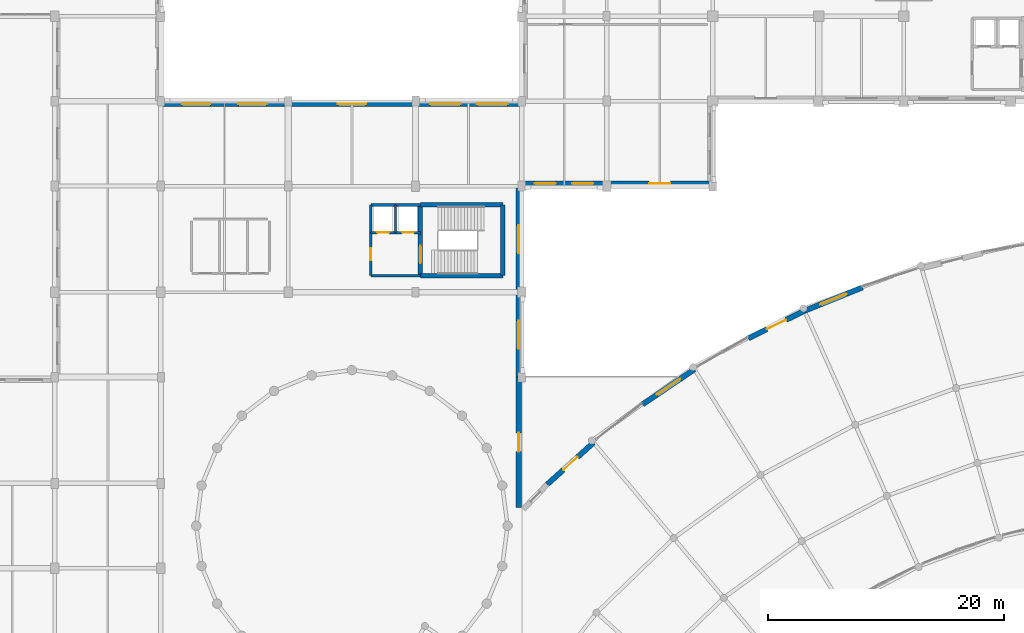
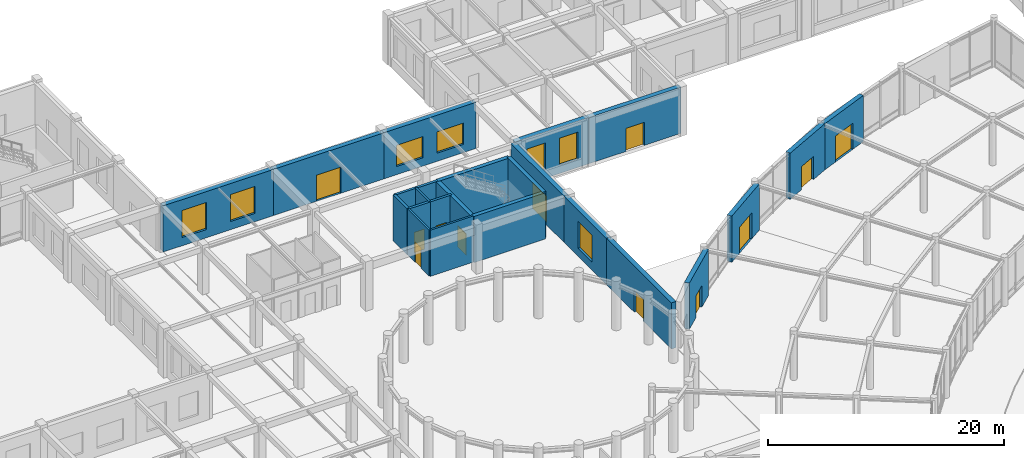
# One storey, part 51 of 64: 23 walls, 12 doors, 7 windows, 19 openings.
"""IFC4 building model written with IfcOpenShell, lengths in metres."""

from ifc_helpers import new_model, si_unit, direction, frame, frame_2d, origin, place, context, subcontext, project, spatial, rectangle, extrude, material, layer, layer_set, type_object, element, fill, save


model = new_model("IFC4")

# Units and contexts
model_context = context("Model", 3, precision=1e-05, world=origin(), true_north=direction((0.0, 1.0)))
body_context = subcontext(model_context, "Body", "Model", "MODEL_VIEW")
ifc_project = project(units=[si_unit("LENGTHUNIT", "METRE"), si_unit("AREAUNIT", "SQUARE_METRE"), si_unit("VOLUMEUNIT", "CUBIC_METRE"), si_unit("PLANEANGLEUNIT", "RADIAN"), si_unit("MASSUNIT", "GRAM", prefix="KILO")], contexts=[model_context])

# Site, building, storey
site_placement = place(None, origin())
site = spatial("IfcSite", under=ifc_project, at=site_placement, CompositionType="ELEMENT")
building_placement = place(site_placement, origin())
building = spatial("IfcBuilding", under=site, at=building_placement, Name="Clarverna Civic Hall", CompositionType="ELEMENT")
storey_placement = place(building_placement, origin())
storey = spatial("IfcBuildingStorey", under=building, at=storey_placement, Name="L00", CompositionType="ELEMENT", Elevation=0.0)

# Wall, openings, windows
ifc_material_1 = material(Name="Precast concrete C40/50", Category="concrete")
ifc_layer_1 = layer(ifc_material_1, 0.449951171875)
ifc_layer_set_1 = layer_set([ifc_layer_1], Name="Precast concrete C40/50")
wall_type_1 = type_object("IfcWallType", Name="EW-01", PredefinedType="SOLIDWALL", material=ifc_layer_set_1)
wall_1_placement = place(storey_placement, frame((66.574951171875, 94.77490234375, 0.0), z_axis=(0.0, 0.0, 1.0), x_axis=(1.0, 0.0, 0.0)))
wall_1 = element("IfcWall", 1, at=wall_1_placement, inside=storey, type_object=wall_type_1, Name="EW-01-027", PredefinedType="SOLIDWALL", context=body_context, shape_type="SweptSolid", body=[
    extrude(rectangle(XDim=10.824951171875, YDim=0.449951171875, at=frame_2d((5.41259765625, 0.0))), origin(), (0.0, 0.0, 1.0), 4.780029296875),
])
opening_1_placement = place(wall_1_placement, frame((1.8310546875, 0.0, 0.85009765625)))
opening_1 = element("IfcOpeningElement", 2, at=opening_1_placement, cuts=wall_1, Name="Opening WN-02", PredefinedType="OPENING", context=body_context, shape_type="SweptSolid", body=[
    extrude(rectangle(XDim=2.39990234375, YDim=2.800048828125, at=frame_2d((1.199951171875, 1.39990234375))), frame((0.0, 0.23486328125, 0.0), z_axis=(0.0, -1.0, 0.0), x_axis=(1.0, 0.0, 0.0)), (0.0, 0.0, 1.0), 0.469970703125),
])
opening_2_placement = place(wall_1_placement, frame((6.593994140625, 0.0, 0.85009765625)))
opening_2 = element("IfcOpeningElement", 3, at=opening_2_placement, cuts=wall_1, Name="Opening WN-02", PredefinedType="OPENING", context=body_context, shape_type="SweptSolid", body=[
    extrude(rectangle(XDim=2.39990234375, YDim=2.800048828125, at=frame_2d((1.199951171875, 1.39990234375))), frame((0.0, 0.23486328125, 0.0), z_axis=(0.0, -1.0, 0.0), x_axis=(1.0, 0.0, 0.0)), (0.0, 0.0, 1.0), 0.469970703125),
])
ifc_material_2 = material(Name="Solar-Control Argon Low-E Double Glazing", Category="glass")
window_type_1 = type_object("IfcWindowType", Name="WN-02", PartitioningType="TRIPLE_PANEL_VERTICAL", PredefinedType="WINDOW", material=ifc_material_2)
window_1_placement = place(opening_1_placement, origin())
window_1 = element("IfcWindow", 4, at=window_1_placement, inside=storey, type_object=window_type_1, Name="WN-02-005", OverallHeight=2.800048828125, OverallWidth=2.39990234375, PartitioningType="TRIPLE_PANEL_VERTICAL", PredefinedType="WINDOW", context=body_context, shape_type="SweptSolid", body=[
    extrude(rectangle(XDim=2.39990234375, YDim=2.800048828125, at=frame_2d((1.199951171875, 1.39990234375))), frame((0.0, 0.030029296875, 0.0), z_axis=(0.0, -1.0, 0.0), x_axis=(1.0, 0.0, 0.0)), (0.0, 0.0, 1.0), 0.06005859375),
])
fill(opening_1, window_1)
window_2_placement = place(opening_2_placement, origin())
window_2 = element("IfcWindow", 5, at=window_2_placement, inside=storey, type_object=window_type_1, Name="WN-02-006", OverallHeight=2.800048828125, OverallWidth=2.39990234375, PartitioningType="TRIPLE_PANEL_VERTICAL", PredefinedType="WINDOW", context=body_context, shape_type="SweptSolid", body=[
    extrude(rectangle(XDim=2.39990234375, YDim=2.800048828125, at=frame_2d((1.199951171875, 1.39990234375))), frame((0.0, 0.030029296875, 0.0), z_axis=(0.0, -1.0, 0.0), x_axis=(1.0, 0.0, 0.0)), (0.0, 0.0, 1.0), 0.06005859375),
])
fill(opening_2, window_2)

# Wall, opening, door
wall_2_placement = place(storey_placement, frame((77.39990234375, 94.77490234375, 0.0), z_axis=(0.0, 0.0, 1.0), x_axis=(1.0, 0.0, 0.0)))
wall_2 = element("IfcWall", 6, at=wall_2_placement, inside=storey, type_object=wall_type_1, Name="EW-01-028", PredefinedType="SOLIDWALL", context=body_context, shape_type="SweptSolid", body=[
    extrude(rectangle(XDim=10.800048828125, YDim=0.449951171875, at=frame_2d((5.39990234375, 0.0))), origin(), (0.0, 0.0, 1.0), 4.780029296875),
])
opening_3_placement = place(wall_2_placement, frame((4.199951171875, 0.0, 0.0)))
opening_3 = element("IfcOpeningElement", 7, at=opening_3_placement, cuts=wall_2, Name="Opening ED-01", PredefinedType="OPENING", context=body_context, shape_type="SweptSolid", body=[
    extrude(rectangle(XDim=2.39990234375, YDim=2.699951171875, at=frame_2d((1.199951171875, 1.35009765625))), frame((0.0, 0.23486328125, 0.0), z_axis=(0.0, -1.0, 0.0), x_axis=(1.0, 0.0, 0.0)), (0.0, 0.0, 1.0), 0.469970703125),
])
ifc_material_3 = material(Name="Anodised Bronze Glazed Door")
door_type_1 = type_object("IfcDoorType", Name="ED-01", OperationType="DOUBLE_DOOR_SINGLE_SWING", PredefinedType="DOOR", material=ifc_material_3)
door_1_placement = place(opening_3_placement, origin())
door_1 = element("IfcDoor", 8, at=door_1_placement, inside=storey, type_object=door_type_1, Name="ED-01-006", OperationType="DOUBLE_DOOR_SINGLE_SWING", OverallHeight=2.699951171875, OverallWidth=2.39990234375, PredefinedType="DOOR", context=body_context, shape_type="SweptSolid", body=[
    extrude(rectangle(XDim=2.39990234375, YDim=2.699951171875, at=frame_2d((1.199951171875, 1.35009765625))), frame((0.0, 0.02490234375, 0.0), z_axis=(0.0, -1.0, 0.0), x_axis=(1.0, 0.0, 0.0)), (0.0, 0.0, 1.0), 0.050048828125),
])
fill(opening_3, door_1)

# Wall, openings, windows
wall_3_placement = place(storey_placement, frame((88.199951171875, 94.77490234375, 0.0), z_axis=(0.0, 0.0, 1.0), x_axis=(1.0, 0.0, 0.0)))
wall_3 = element("IfcWall", 9, at=wall_3_placement, inside=storey, type_object=wall_type_1, Name="EW-01-029", PredefinedType="SOLIDWALL", context=body_context, shape_type="SweptSolid", body=[
    extrude(rectangle(XDim=9.025146484375, YDim=0.449951171875, at=frame_2d((4.5126953125, 0.0))), origin(), (0.0, 0.0, 1.0), 4.780029296875),
])
opening_4_placement = place(wall_3_placement, frame((1.22705078125, 0.0, 0.85009765625)))
opening_4 = element("IfcOpeningElement", 10, at=opening_4_placement, cuts=wall_3, Name="Opening WN-18", PredefinedType="OPENING", context=body_context, shape_type="SweptSolid", body=[
    extrude(rectangle(XDim=2.60009765625, YDim=2.199951171875, at=frame_2d((1.300048828125, 1.10009765625))), frame((0.0, 0.23486328125, 0.0), z_axis=(0.0, -1.0, 0.0), x_axis=(1.0, 0.0, 0.0)), (0.0, 0.0, 1.0), 0.469970703125),
])
opening_5_placement = place(wall_3_placement, frame((5.197998046875, 0.0, 0.85009765625)))
opening_5 = element("IfcOpeningElement", 11, at=opening_5_placement, cuts=wall_3, Name="Opening WN-18", PredefinedType="OPENING", context=body_context, shape_type="SweptSolid", body=[
    extrude(rectangle(XDim=2.60009765625, YDim=2.199951171875, at=frame_2d((1.300048828125, 1.10009765625))), frame((0.0, 0.23486328125, 0.0), z_axis=(0.0, -1.0, 0.0), x_axis=(1.0, 0.0, 0.0)), (0.0, 0.0, 1.0), 0.469970703125),
])
window_type_2 = type_object("IfcWindowType", Name="WN-18", PartitioningType="TRIPLE_PANEL_VERTICAL", PredefinedType="WINDOW", material=ifc_material_2)
window_3_placement = place(opening_4_placement, origin())
window_3 = element("IfcWindow", 12, at=window_3_placement, inside=storey, type_object=window_type_2, Name="WN-18-003", OverallHeight=2.199951171875, OverallWidth=2.60009765625, PartitioningType="TRIPLE_PANEL_VERTICAL", PredefinedType="WINDOW", context=body_context, shape_type="SweptSolid", body=[
    extrude(rectangle(XDim=2.60009765625, YDim=2.199951171875, at=frame_2d((1.300048828125, 1.10009765625))), frame((0.0, 0.030029296875, 0.0), z_axis=(0.0, -1.0, 0.0), x_axis=(1.0, 0.0, 0.0)), (0.0, 0.0, 1.0), 0.06005859375),
])
fill(opening_4, window_3)
window_4_placement = place(opening_5_placement, origin())
window_4 = element("IfcWindow", 13, at=window_4_placement, inside=storey, type_object=window_type_2, Name="WN-18-004", OverallHeight=2.199951171875, OverallWidth=2.60009765625, PartitioningType="TRIPLE_PANEL_VERTICAL", PredefinedType="WINDOW", context=body_context, shape_type="SweptSolid", body=[
    extrude(rectangle(XDim=2.60009765625, YDim=2.199951171875, at=frame_2d((1.300048828125, 1.10009765625))), frame((0.0, 0.030029296875, 0.0), z_axis=(0.0, -1.0, 0.0), x_axis=(1.0, 0.0, 0.0)), (0.0, 0.0, 1.0), 0.06005859375),
])
fill(opening_5, window_4)

# Wall, opening, door
wall_4_placement = place(storey_placement, frame((113.39990234375, 88.02490234375, 0.0), z_axis=(0.0, 0.0, 1.0), x_axis=(-1.0, 0.0, 0.0)))
wall_4 = element("IfcWall", 14, at=wall_4_placement, inside=storey, type_object=wall_type_1, Name="EW-01-058", PredefinedType="SOLIDWALL", context=body_context, shape_type="SweptSolid", body=[
    extrude(rectangle(XDim=9.0, YDim=0.449951171875, at=frame_2d((4.5, 0.0))), origin(), (0.0, 0.0, 1.0), 4.780029296875),
])
opening_6_placement = place(wall_4_placement, frame((3.60009765625, 0.0, 0.0)))
opening_6 = element("IfcOpeningElement", 15, at=opening_6_placement, cuts=wall_4, Name="Opening ED-02", PredefinedType="OPENING", context=body_context, shape_type="SweptSolid", body=[
    extrude(rectangle(XDim=1.800048828125, YDim=2.39990234375, at=frame_2d((0.89990234375, 1.199951171875))), frame((0.0, 0.23486328125, 0.0), z_axis=(0.0, -1.0, 0.0), x_axis=(1.0, 0.0, 0.0)), (0.0, 0.0, 1.0), 0.469970703125),
])
door_type_2 = type_object("IfcDoorType", Name="ED-02", OperationType="DOUBLE_DOOR_SINGLE_SWING", PredefinedType="DOOR", material=ifc_material_3)
door_2_placement = place(opening_6_placement, origin())
door_2 = element("IfcDoor", 16, at=door_2_placement, inside=storey, type_object=door_type_2, Name="ED-02-012", OperationType="DOUBLE_DOOR_SINGLE_SWING", OverallHeight=2.39990234375, OverallWidth=1.800048828125, PredefinedType="DOOR", context=body_context, shape_type="SweptSolid", body=[
    extrude(rectangle(XDim=1.800048828125, YDim=2.39990234375, at=frame_2d((0.89990234375, 1.199951171875))), frame((0.0, 0.02490234375, 0.0), z_axis=(0.0, -1.0, 0.0), x_axis=(1.0, 0.0, 0.0)), (0.0, 0.0, 1.0), 0.050048828125),
])
fill(opening_6, door_2)

# Wall, openings, windows
wall_5_placement = place(storey_placement, frame((104.39990234375, 88.02490234375, 0.0), z_axis=(0.0, 0.0, 1.0), x_axis=(-1.0, 0.0, 0.0)))
wall_5 = element("IfcWall", 17, at=wall_5_placement, inside=storey, type_object=wall_type_1, Name="EW-01-059", PredefinedType="SOLIDWALL", context=body_context, shape_type="SweptSolid", body=[
    extrude(rectangle(XDim=7.224853515625, YDim=0.449951171875, at=frame_2d((3.6123046875, 0.0))), origin(), (0.0, 0.0, 1.0), 4.780029296875),
])
opening_7_placement = place(wall_5_placement, frame((1.123046875, 0.0, 0.85009765625)))
opening_7 = element("IfcOpeningElement", 18, at=opening_7_placement, cuts=wall_5, Name="Opening WN-01", PredefinedType="OPENING", context=body_context, shape_type="SweptSolid", body=[
    extrude(rectangle(XDim=1.800048828125, YDim=2.800048828125, at=frame_2d((0.89990234375, 1.39990234375))), frame((0.0, 0.23486328125, 0.0), z_axis=(0.0, -1.0, 0.0), x_axis=(1.0, 0.0, 0.0)), (0.0, 0.0, 1.0), 0.469970703125),
])
opening_8_placement = place(wall_5_placement, frame((4.302001953125, 0.0, 0.85009765625)))
opening_8 = element("IfcOpeningElement", 19, at=opening_8_placement, cuts=wall_5, Name="Opening WN-01", PredefinedType="OPENING", context=body_context, shape_type="SweptSolid", body=[
    extrude(rectangle(XDim=1.800048828125, YDim=2.800048828125, at=frame_2d((0.89990234375, 1.39990234375))), frame((0.0, 0.23486328125, 0.0), z_axis=(0.0, -1.0, 0.0), x_axis=(1.0, 0.0, 0.0)), (0.0, 0.0, 1.0), 0.469970703125),
])
window_type_3 = type_object("IfcWindowType", Name="WN-01", PartitioningType="DOUBLE_PANEL_VERTICAL", PredefinedType="WINDOW", material=ifc_material_2)
window_5_placement = place(opening_7_placement, origin())
window_5 = element("IfcWindow", 20, at=window_5_placement, inside=storey, type_object=window_type_3, Name="WN-01-016", OverallHeight=2.800048828125, OverallWidth=1.800048828125, PartitioningType="DOUBLE_PANEL_VERTICAL", PredefinedType="WINDOW", context=body_context, shape_type="SweptSolid", body=[
    extrude(rectangle(XDim=1.800048828125, YDim=2.800048828125, at=frame_2d((0.89990234375, 1.39990234375))), frame((0.0, 0.030029296875, 0.0), z_axis=(0.0, -1.0, 0.0), x_axis=(1.0, 0.0, 0.0)), (0.0, 0.0, 1.0), 0.06005859375),
])
fill(opening_7, window_5)
window_6_placement = place(opening_8_placement, origin())
window_6 = element("IfcWindow", 21, at=window_6_placement, inside=storey, type_object=window_type_3, Name="WN-01-017", OverallHeight=2.800048828125, OverallWidth=1.800048828125, PartitioningType="DOUBLE_PANEL_VERTICAL", PredefinedType="WINDOW", context=body_context, shape_type="SweptSolid", body=[
    extrude(rectangle(XDim=1.800048828125, YDim=2.800048828125, at=frame_2d((0.89990234375, 1.39990234375))), frame((0.0, 0.030029296875, 0.0), z_axis=(0.0, -1.0, 0.0), x_axis=(1.0, 0.0, 0.0)), (0.0, 0.0, 1.0), 0.06005859375),
])
fill(opening_8, window_6)

# Wall, opening, door
wall_6_placement = place(storey_placement, frame((96.949951171875, 87.800048828125, 0.0), z_axis=(0.0, 0.0, 1.0), x_axis=(0.0, -1.0, 0.0)))
wall_6 = element("IfcWall", 22, at=wall_6_placement, inside=storey, type_object=wall_type_1, Name="EW-01-060", PredefinedType="SOLIDWALL", context=body_context, shape_type="SweptSolid", body=[
    extrude(rectangle(XDim=9.0, YDim=0.449951171875, at=frame_2d((4.5, 0.0))), origin(), (0.0, 0.0, 1.0), 4.780029296875),
])
opening_9_placement = place(wall_6_placement, frame((3.300048828125, 0.0, 0.0)))
opening_9 = element("IfcOpeningElement", 23, at=opening_9_placement, cuts=wall_6, Name="Opening ED-01", PredefinedType="OPENING", context=body_context, shape_type="SweptSolid", body=[
    extrude(rectangle(XDim=2.39990234375, YDim=2.699951171875, at=frame_2d((1.199951171875, 1.35009765625))), frame((0.0, 0.23486328125, 0.0), z_axis=(0.0, -1.0, 0.0), x_axis=(1.0, 0.0, 0.0)), (0.0, 0.0, 1.0), 0.469970703125),
])
door_3_placement = place(opening_9_placement, origin())
door_3 = element("IfcDoor", 24, at=door_3_placement, inside=storey, type_object=door_type_1, Name="ED-01-012", OperationType="DOUBLE_DOOR_SINGLE_SWING", OverallHeight=2.699951171875, OverallWidth=2.39990234375, PredefinedType="DOOR", context=body_context, shape_type="SweptSolid", body=[
    extrude(rectangle(XDim=2.39990234375, YDim=2.699951171875, at=frame_2d((1.199951171875, 1.35009765625))), frame((0.0, 0.02490234375, 0.0), z_axis=(0.0, -1.0, 0.0), x_axis=(1.0, 0.0, 0.0)), (0.0, 0.0, 1.0), 0.050048828125),
])
fill(opening_9, door_3)

# Wall, opening, window
wall_7_placement = place(storey_placement, frame((96.949951171875, 78.800048828125, 0.0), z_axis=(0.0, 0.0, 1.0), x_axis=(0.0, -1.0, 0.0)))
wall_7 = element("IfcWall", 25, at=wall_7_placement, inside=storey, type_object=wall_type_1, Name="EW-01-061", PredefinedType="SOLIDWALL", context=body_context, shape_type="SweptSolid", body=[
    extrude(rectangle(XDim=7.199951171875, YDim=0.449951171875, at=frame_2d((3.60009765625, 0.0))), origin(), (0.0, 0.0, 1.0), 4.780029296875),
])
opening_10_placement = place(wall_7_placement, frame((2.39990234375, 0.0, 0.85009765625)))
opening_10 = element("IfcOpeningElement", 26, at=opening_10_placement, cuts=wall_7, Name="Opening WN-02", PredefinedType="OPENING", context=body_context, shape_type="SweptSolid", body=[
    extrude(rectangle(XDim=2.39990234375, YDim=2.800048828125, at=frame_2d((1.199951171875, 1.39990234375))), frame((0.0, 0.23486328125, 0.0), z_axis=(0.0, -1.0, 0.0), x_axis=(1.0, 0.0, 0.0)), (0.0, 0.0, 1.0), 0.469970703125),
])
window_7_placement = place(opening_10_placement, origin())
window_7 = element("IfcWindow", 27, at=window_7_placement, inside=storey, type_object=window_type_1, Name="WN-02-012", OverallHeight=2.800048828125, OverallWidth=2.39990234375, PartitioningType="TRIPLE_PANEL_VERTICAL", PredefinedType="WINDOW", context=body_context, shape_type="SweptSolid", body=[
    extrude(rectangle(XDim=2.39990234375, YDim=2.800048828125, at=frame_2d((1.199951171875, 1.39990234375))), frame((0.0, 0.030029296875, 0.0), z_axis=(0.0, -1.0, 0.0), x_axis=(1.0, 0.0, 0.0)), (0.0, 0.0, 1.0), 0.06005859375),
])
fill(opening_10, window_7)

# Wall, opening, door
wall_8_placement = place(storey_placement, frame((96.949951171875, 71.60009765625, 0.0), z_axis=(0.0, 0.0, 1.0), x_axis=(0.0, -1.0, 0.0)))
wall_8 = element("IfcWall", 28, at=wall_8_placement, inside=storey, type_object=wall_type_1, Name="EW-01-062", PredefinedType="SOLIDWALL", context=body_context, shape_type="SweptSolid", body=[
    extrude(rectangle(XDim=11.033447265625, YDim=0.449951171875, at=frame_2d((5.5166015625, 0.0))), origin(), (0.0, 0.0, 1.0), 4.780029296875),
])
opening_11_placement = place(wall_8_placement, frame((4.716796875, 0.0, 0.0)))
opening_11 = element("IfcOpeningElement", 29, at=opening_11_placement, cuts=wall_8, Name="Opening ED-04", PredefinedType="OPENING", context=body_context, shape_type="SweptSolid", body=[
    extrude(rectangle(XDim=1.60009765625, YDim=2.25, at=frame_2d((0.800048828125, 1.125))), frame((0.0, 0.23486328125, 0.0), z_axis=(0.0, -1.0, 0.0), x_axis=(1.0, 0.0, 0.0)), (0.0, 0.0, 1.0), 0.469970703125),
])
door_type_3 = type_object("IfcDoorType", Name="ED-04", OperationType="DOUBLE_DOOR_SINGLE_SWING", PredefinedType="DOOR", material=ifc_material_3)
door_4_placement = place(opening_11_placement, origin())
door_4 = element("IfcDoor", 30, at=door_4_placement, inside=storey, type_object=door_type_3, Name="ED-04-004", OperationType="DOUBLE_DOOR_SINGLE_SWING", OverallHeight=2.25, OverallWidth=1.60009765625, PredefinedType="DOOR", context=body_context, shape_type="SweptSolid", body=[
    extrude(rectangle(XDim=1.60009765625, YDim=2.25, at=frame_2d((0.800048828125, 1.125))), frame((0.0, 0.02490234375, 0.0), z_axis=(0.0, -1.0, 0.0), x_axis=(1.0, 0.0, 0.0)), (0.0, 0.0, 1.0), 0.050048828125),
])
fill(opening_11, door_4)

wall_9_placement = place(storey_placement, frame((99.356689453125, 62.502685546875, 0.0), z_axis=(0.0, 0.0, 1.0), x_axis=(0.743120192268, 0.669157963297, 0.0)))
wall_9 = element("IfcWall", 31, at=wall_9_placement, inside=storey, type_object=wall_type_1, Name="EW-01-064", PredefinedType="SOLIDWALL", context=body_context, shape_type="SweptSolid", body=[
    extrude(rectangle(XDim=5.304443359375, YDim=0.449951171875, at=frame_2d((2.65234375, 0.0))), origin(), (0.0, 0.0, 1.0), 4.780029296875),
])
opening_12_placement = place(wall_9_placement, frame((1.852294921875, 0.0, 0.0)))
opening_12 = element("IfcOpeningElement", 32, at=opening_12_placement, cuts=wall_9, Name="Opening ED-04", PredefinedType="OPENING", context=body_context, shape_type="SweptSolid", body=[
    extrude(rectangle(XDim=1.60009765625, YDim=2.25, at=frame_2d((0.800048828125, 1.125))), frame((0.0, 0.23486328125, 0.0), z_axis=(0.0, -1.0, 0.0), x_axis=(1.0, 0.0, 0.0)), (0.0, 0.0, 1.0), 0.469970703125),
])
door_5_placement = place(opening_12_placement, origin())
door_5 = element("IfcDoor", 33, at=door_5_placement, inside=storey, type_object=door_type_3, Name="ED-04-005", OperationType="DOUBLE_DOOR_SINGLE_SWING", OverallHeight=2.25, OverallWidth=1.60009765625, PredefinedType="DOOR", context=body_context, shape_type="SweptSolid", body=[
    extrude(rectangle(XDim=1.60009765625, YDim=2.25, at=frame_2d((0.800048828125, 1.125))), frame((0.0, 0.02490234375, 0.0), z_axis=(0.0, -1.0, 0.0), x_axis=(1.0, 0.0, 0.0)), (0.0, 0.0, 1.0), 0.050048828125),
])
fill(opening_12, door_5)

wall_10_placement = place(storey_placement, frame((107.4541015625, 69.298828125, 0.0), z_axis=(0.0, 0.0, 1.0), x_axis=(0.829035906467, 0.55919537354, 0.0)))
wall_10 = element("IfcWall", 34, at=wall_10_placement, inside=storey, type_object=wall_type_1, Name="EW-01-065", PredefinedType="SOLIDWALL", context=body_context, shape_type="SweptSolid", body=[
    extrude(rectangle(XDim=5.3046875, YDim=0.449951171875, at=frame_2d((2.65234375, 0.0))), origin(), (0.0, 0.0, 1.0), 4.780029296875),
])
opening_13_placement = place(wall_10_placement, frame((1.452392578125, 0.0, 0.0)))
opening_13 = element("IfcOpeningElement", 35, at=opening_13_placement, cuts=wall_10, Name="Opening ED-01", PredefinedType="OPENING", context=body_context, shape_type="SweptSolid", body=[
    extrude(rectangle(XDim=2.39990234375, YDim=2.699951171875, at=frame_2d((1.199951171875, 1.35009765625))), frame((0.0, 0.23486328125, 0.0), z_axis=(0.0, -1.0, 0.0), x_axis=(1.0, 0.0, 0.0)), (0.0, 0.0, 1.0), 0.469970703125),
])
door_6_placement = place(opening_13_placement, origin())
door_6 = element("IfcDoor", 36, at=door_6_placement, inside=storey, type_object=door_type_1, Name="ED-01-013", OperationType="DOUBLE_DOOR_SINGLE_SWING", OverallHeight=2.699951171875, OverallWidth=2.39990234375, PredefinedType="DOOR", context=body_context, shape_type="SweptSolid", body=[
    extrude(rectangle(XDim=2.39990234375, YDim=2.699951171875, at=frame_2d((1.199951171875, 1.35009765625))), frame((0.0, 0.02490234375, 0.0), z_axis=(0.0, -1.0, 0.0), x_axis=(1.0, 0.0, 0.0)), (0.0, 0.0, 1.0), 0.050048828125),
])
fill(opening_13, door_6)

wall_11_placement = place(storey_placement, frame((116.418701171875, 74.90185546875, 0.0), z_axis=(0.0, 0.0, 1.0), x_axis=(0.898792771911, 0.438373759663, 0.0)))
wall_11 = element("IfcWall", 37, at=wall_11_placement, inside=storey, type_object=wall_type_1, Name="EW-01-066", PredefinedType="SOLIDWALL", context=body_context, shape_type="SweptSolid", body=[
    extrude(rectangle(XDim=5.3046875, YDim=0.449951171875, at=frame_2d((2.65234375, 0.0))), origin(), (0.0, 0.0, 1.0), 4.780029296875),
])
opening_14_placement = place(wall_11_placement, frame((1.75244140625, 0.0, 0.0)))
opening_14 = element("IfcOpeningElement", 38, at=opening_14_placement, cuts=wall_11, Name="Opening ED-02", PredefinedType="OPENING", context=body_context, shape_type="SweptSolid", body=[
    extrude(rectangle(XDim=1.800048828125, YDim=2.39990234375, at=frame_2d((0.89990234375, 1.199951171875))), frame((0.0, 0.23486328125, 0.0), z_axis=(0.0, -1.0, 0.0), x_axis=(1.0, 0.0, 0.0)), (0.0, 0.0, 1.0), 0.469970703125),
])
door_7_placement = place(opening_14_placement, origin())
door_7 = element("IfcDoor", 39, at=door_7_placement, inside=storey, type_object=door_type_2, Name="ED-02-013", OperationType="DOUBLE_DOOR_SINGLE_SWING", OverallHeight=2.39990234375, OverallWidth=1.800048828125, PredefinedType="DOOR", context=body_context, shape_type="SweptSolid", body=[
    extrude(rectangle(XDim=1.800048828125, YDim=2.39990234375, at=frame_2d((0.89990234375, 1.199951171875))), frame((0.0, 0.02490234375, 0.0), z_axis=(0.0, -1.0, 0.0), x_axis=(1.0, 0.0, 0.0)), (0.0, 0.0, 1.0), 0.050048828125),
])
fill(opening_14, door_7)

wall_12_placement = place(storey_placement, frame((121.17236328125, 77.220947265625, 0.0), z_axis=(0.0, 0.0, 1.0), x_axis=(0.92719204437, 0.374586322304, 0.0)))
wall_12 = element("IfcWall", 40, at=wall_12_placement, inside=storey, type_object=wall_type_1, Name="EW-01-067", PredefinedType="SOLIDWALL", context=body_context, shape_type="SweptSolid", body=[
    extrude(rectangle(XDim=5.3046875, YDim=0.449951171875, at=frame_2d((2.65234375, 0.0))), origin(), (0.0, 0.0, 1.0), 4.780029296875),
])
opening_15_placement = place(wall_12_placement, frame((1.452392578125, 0.0, 0.0)))
opening_15 = element("IfcOpeningElement", 41, at=opening_15_placement, cuts=wall_12, Name="Opening ED-01", PredefinedType="OPENING", context=body_context, shape_type="SweptSolid", body=[
    extrude(rectangle(XDim=2.39990234375, YDim=2.699951171875, at=frame_2d((1.199951171875, 1.35009765625))), frame((0.0, 0.23486328125, 0.0), z_axis=(0.0, -1.0, 0.0), x_axis=(1.0, 0.0, 0.0)), (0.0, 0.0, 1.0), 0.469970703125),
])
door_8_placement = place(opening_15_placement, origin())
door_8 = element("IfcDoor", 42, at=door_8_placement, inside=storey, type_object=door_type_1, Name="ED-01-014", OperationType="DOUBLE_DOOR_SINGLE_SWING", OverallHeight=2.699951171875, OverallWidth=2.39990234375, PredefinedType="DOOR", context=body_context, shape_type="SweptSolid", body=[
    extrude(rectangle(XDim=2.39990234375, YDim=2.699951171875, at=frame_2d((1.199951171875, 1.35009765625))), frame((0.0, 0.02490234375, 0.0), z_axis=(0.0, -1.0, 0.0), x_axis=(1.0, 0.0, 0.0)), (0.0, 0.0, 1.0), 0.050048828125),
])
fill(opening_15, door_8)

ifc_material_4 = material(Name="Acoustic Gypsum Plasterboard on Twin Frame", Category="gypsum")
ifc_layer_2 = layer(ifc_material_4, 0.18994140625)
ifc_layer_set_2 = layer_set([ifc_layer_2], Name="Acoustic Gypsum Plasterboard on Twin Frame")
wall_type_2 = type_object("IfcWallType", Name="PW-06", PredefinedType="PARTITIONING", material=ifc_layer_set_2)
wall_13_placement = place(storey_placement, frame((84.39990234375, 80.199951171875, 0.0), z_axis=(0.0, 0.0, 1.0), x_axis=(0.0, 1.0, 0.0)))
wall_13 = element("IfcWall", 43, at=wall_13_placement, inside=storey, type_object=wall_type_2, Name="PW-06-039", PredefinedType="PARTITIONING", context=body_context, shape_type="SweptSolid", body=[
    extrude(rectangle(XDim=3.650146484375, YDim=0.18994140625, at=frame_2d((1.8251953125, 0.0))), origin(), (0.0, 0.0, 1.0), 4.780029296875),
])
opening_16_placement = place(wall_13_placement, frame((1.300048828125, 0.0, 0.0)))
opening_16 = element("IfcOpeningElement", 44, at=opening_16_placement, cuts=wall_13, Name="Opening FD-02", PredefinedType="OPENING", context=body_context, shape_type="SweptSolid", body=[
    extrude(rectangle(XDim=1.050048828125, YDim=2.14990234375, at=frame_2d((0.52490234375, 1.074951171875))), frame((0.0, 0.10498046875, 0.0), z_axis=(0.0, -1.0, 0.0), x_axis=(1.0, 0.0, 0.0)), (0.0, 0.0, 1.0), 0.2099609375),
])
ifc_material_5 = material(Name="Acoustic Timber-Faced Fire Door", Category="wood")
door_type_4 = type_object("IfcDoorType", Name="FD-02", OperationType="NOTDEFINED", PredefinedType="DOOR", material=ifc_material_5)
door_9_placement = place(opening_16_placement, origin())
door_9 = element("IfcDoor", 45, at=door_9_placement, inside=storey, type_object=door_type_4, Name="FD-02-037", OperationType="SINGLE_SWING_RIGHT", OverallHeight=2.14990234375, OverallWidth=1.050048828125, PredefinedType="DOOR", context=body_context, shape_type="SweptSolid", body=[
    extrude(rectangle(XDim=1.050048828125, YDim=2.14990234375, at=frame_2d((0.52490234375, 1.074951171875))), frame((0.0, 0.02490234375, 0.0), z_axis=(0.0, -1.0, 0.0), x_axis=(1.0, 0.0, 0.0)), (0.0, 0.0, 1.0), 0.050048828125),
])
fill(opening_16, door_9)

# Wall
wall_14_placement = place(storey_placement, frame((84.39990234375, 80.199951171875, 0.0), z_axis=(0.0, 0.0, 1.0), x_axis=(1.0, 0.0, 0.0)))
element("IfcWall", 46, at=wall_14_placement, inside=storey, type_object=wall_type_2, Name="PW-06-040", PredefinedType="PARTITIONING", context=body_context, shape_type="SweptSolid", body=[
    extrude(rectangle(XDim=4.2001953125, YDim=0.18994140625, at=frame_2d((2.10009765625, 0.0))), origin(), (0.0, 0.0, 1.0), 4.780029296875),
])

# Wall, opening, door
ifc_material_6 = material(Name="Concrete C35/45", Category="concrete")
ifc_layer_3 = layer(ifc_material_6, 0.3798828125)
ifc_layer_set_3 = layer_set([ifc_layer_3], Name="Concrete C35/45")
wall_type_3 = type_object("IfcWallType", Name="SW-01", PredefinedType="SHEAR", material=ifc_layer_set_3)
wall_15_placement = place(storey_placement, frame((88.60009765625, 80.199951171875, 0.0), z_axis=(0.0, 0.0, 1.0), x_axis=(0.0, 1.0, 0.0)))
wall_15 = element("IfcWall", 47, at=wall_15_placement, inside=storey, type_object=wall_type_3, Name="SW-01-172", PredefinedType="SHEAR", context=body_context, shape_type="SweptSolid", body=[
    extrude(rectangle(XDim=6.0, YDim=0.3798828125, at=frame_2d((3.0, 0.0))), origin(), (0.0, 0.0, 1.0), 4.780029296875),
])
opening_17_placement = place(wall_15_placement, frame((1.074951171875, 0.0, 0.0)))
opening_17 = element("IfcOpeningElement", 48, at=opening_17_placement, cuts=wall_15, Name="Opening FD-01", PredefinedType="OPENING", context=body_context, shape_type="SweptSolid", body=[
    extrude(rectangle(XDim=1.449951171875, YDim=2.199951171875, at=frame_2d((0.72509765625, 1.10009765625))), frame((0.0, 0.199951171875, 0.0), z_axis=(0.0, -1.0, 0.0), x_axis=(1.0, 0.0, 0.0)), (0.0, 0.0, 1.0), 0.39990234375),
])
door_type_5 = type_object("IfcDoorType", Name="FD-01", OperationType="DOUBLE_DOOR_SINGLE_SWING", PredefinedType="DOOR", material=ifc_material_5)
door_10_placement = place(opening_17_placement, origin())
door_10 = element("IfcDoor", 49, at=door_10_placement, inside=storey, type_object=door_type_5, Name="FD-01-003", OperationType="DOUBLE_DOOR_SINGLE_SWING", OverallHeight=2.199951171875, OverallWidth=1.449951171875, PredefinedType="DOOR", context=body_context, shape_type="SweptSolid", body=[
    extrude(rectangle(XDim=1.449951171875, YDim=2.199951171875, at=frame_2d((0.72509765625, 1.10009765625))), frame((0.0, 0.02490234375, 0.0), z_axis=(0.0, -1.0, 0.0), x_axis=(1.0, 0.0, 0.0)), (0.0, 0.0, 1.0), 0.050048828125),
])
fill(opening_17, door_10)

# Walls
wall_16_placement = place(storey_placement, frame((95.60009765625, 80.199951171875, 0.0), z_axis=(0.0, 0.0, 1.0), x_axis=(0.0, 1.0, 0.0)))
element("IfcWall", 50, at=wall_16_placement, inside=storey, type_object=wall_type_3, Name="SW-01-173", PredefinedType="SHEAR", context=body_context, shape_type="SweptSolid", body=[
    extrude(rectangle(XDim=6.0, YDim=0.3798828125, at=frame_2d((3.0, 0.0))), origin(), (0.0, 0.0, 1.0), 4.780029296875),
])
for number, where, z_axis, x_axis, name in (
    (51, (88.60009765625, 80.199951171875, 0.0), (0.0, 0.0, 1.0), (1.0, 0.0, 0.0), "SW-01-174"),
    (52, (88.60009765625, 86.199951171875, 0.0), (0.0, 0.0, 1.0), (1.0, 0.0, 0.0), "SW-01-175"),
):
    element("IfcWall", number, at=place(storey_placement, frame(where, z_axis=z_axis, x_axis=x_axis)), inside=storey, type_object=wall_type_3, Name=name, PredefinedType="SHEAR", context=body_context, shape_type="SweptSolid", body=[
        extrude(rectangle(XDim=7.0, YDim=0.3798828125, at=frame_2d((3.5, 0.0))), origin(), (0.0, 0.0, 1.0), 4.780029296875),
    ])
wall_17_placement = place(storey_placement, frame((84.39990234375, 86.199951171875, 0.0), z_axis=(0.0, 0.0, 1.0), x_axis=(1.0, 0.0, 0.0)))
element("IfcWall", 53, at=wall_17_placement, inside=storey, type_object=wall_type_3, Name="SW-01-176", PredefinedType="SHEAR", context=body_context, shape_type="SweptSolid", body=[
    extrude(rectangle(XDim=4.2001953125, YDim=0.239990234375, at=frame_2d((2.10009765625, 0.0))), origin(), (0.0, 0.0, 1.0), 4.780029296875),
])
wall_18_placement = place(storey_placement, frame((84.39990234375, 83.85009765625, 0.0), z_axis=(0.0, 0.0, 1.0), x_axis=(0.0, 1.0, 0.0)))
element("IfcWall", 54, at=wall_18_placement, inside=storey, type_object=wall_type_3, Name="SW-01-177", PredefinedType="SHEAR", context=body_context, shape_type="SweptSolid", body=[
    extrude(rectangle(XDim=2.349853515625, YDim=0.239990234375, at=frame_2d((1.1748046875, 0.0))), origin(), (0.0, 0.0, 1.0), 4.780029296875),
])
wall_19_placement = place(storey_placement, frame((86.5, 83.85009765625, 0.0), z_axis=(0.0, 0.0, 1.0), x_axis=(0.0, 1.0, 0.0)))
element("IfcWall", 55, at=wall_19_placement, inside=storey, type_object=wall_type_3, Name="SW-01-178", PredefinedType="SHEAR", context=body_context, shape_type="SweptSolid", body=[
    extrude(rectangle(XDim=2.349853515625, YDim=0.199951171875, at=frame_2d((1.1748046875, 0.0))), origin(), (0.0, 0.0, 1.0), 4.780029296875),
])

# Wall, opening, door
wall_20_placement = place(storey_placement, frame((84.39990234375, 83.85009765625, 0.0), z_axis=(0.0, 0.0, 1.0), x_axis=(1.0, 0.0, 0.0)))
wall_20 = element("IfcWall", 56, at=wall_20_placement, inside=storey, type_object=wall_type_3, Name="SW-01-179", PredefinedType="SHEAR", context=body_context, shape_type="SweptSolid", body=[
    extrude(rectangle(XDim=2.10009765625, YDim=0.239990234375, at=frame_2d((1.050048828125, 0.0))), origin(), (0.0, 0.0, 1.0), 4.780029296875),
])
opening_18_placement = place(wall_20_placement, frame((0.550048828125, 0.0, 0.0)))
opening_18 = element("IfcOpeningElement", 57, at=opening_18_placement, cuts=wall_20, Name="Opening LD-01", PredefinedType="OPENING", context=body_context, shape_type="SweptSolid", body=[
    extrude(rectangle(XDim=1.0, YDim=2.10009765625, at=frame_2d((0.5, 1.050048828125))), frame((0.0, 0.1298828125, 0.0), z_axis=(0.0, -1.0, 0.0), x_axis=(1.0, 0.0, 0.0)), (0.0, 0.0, 1.0), 0.260009765625),
])
ifc_material_7 = material(Name="Brushed Bronze Stainless Lift Landing Door")
door_type_6 = type_object("IfcDoorType", Name="LD-01", OperationType="SLIDING_TO_LEFT", PredefinedType="DOOR", material=ifc_material_7)
door_11_placement = place(opening_18_placement, origin())
door_11 = element("IfcDoor", 58, at=door_11_placement, inside=storey, type_object=door_type_6, Name="LD-01-039", OperationType="SLIDING_TO_LEFT", OverallHeight=2.10009765625, OverallWidth=1.0, PredefinedType="DOOR", context=body_context, shape_type="SweptSolid", body=[
    extrude(rectangle(XDim=1.0, YDim=2.10009765625, at=frame_2d((0.5, 1.050048828125))), frame((0.0, 0.02490234375, 0.0), z_axis=(0.0, -1.0, 0.0), x_axis=(1.0, 0.0, 0.0)), (0.0, 0.0, 1.0), 0.050048828125),
])
fill(opening_18, door_11)

wall_21_placement = place(storey_placement, frame((86.5, 83.85009765625, 0.0), z_axis=(0.0, 0.0, 1.0), x_axis=(1.0, 0.0, 0.0)))
wall_21 = element("IfcWall", 59, at=wall_21_placement, inside=storey, type_object=wall_type_3, Name="SW-01-180", PredefinedType="SHEAR", context=body_context, shape_type="SweptSolid", body=[
    extrude(rectangle(XDim=2.10009765625, YDim=0.239990234375, at=frame_2d((1.050048828125, 0.0))), origin(), (0.0, 0.0, 1.0), 4.780029296875),
])
opening_19_placement = place(wall_21_placement, frame((0.550048828125, 0.0, 0.0)))
opening_19 = element("IfcOpeningElement", 60, at=opening_19_placement, cuts=wall_21, Name="Opening LD-01", PredefinedType="OPENING", context=body_context, shape_type="SweptSolid", body=[
    extrude(rectangle(XDim=1.0, YDim=2.10009765625, at=frame_2d((0.5, 1.050048828125))), frame((0.0, 0.1298828125, 0.0), z_axis=(0.0, -1.0, 0.0), x_axis=(1.0, 0.0, 0.0)), (0.0, 0.0, 1.0), 0.260009765625),
])
door_12_placement = place(opening_19_placement, origin())
door_12 = element("IfcDoor", 61, at=door_12_placement, inside=storey, type_object=door_type_6, Name="LD-01-040", OperationType="SLIDING_TO_LEFT", OverallHeight=2.10009765625, OverallWidth=1.0, PredefinedType="DOOR", context=body_context, shape_type="SweptSolid", body=[
    extrude(rectangle(XDim=1.0, YDim=2.10009765625, at=frame_2d((0.5, 1.050048828125))), frame((0.0, 0.02490234375, 0.0), z_axis=(0.0, -1.0, 0.0), x_axis=(1.0, 0.0, 0.0)), (0.0, 0.0, 1.0), 0.050048828125),
])
fill(opening_19, door_12)

save(model, "model.ifc")
